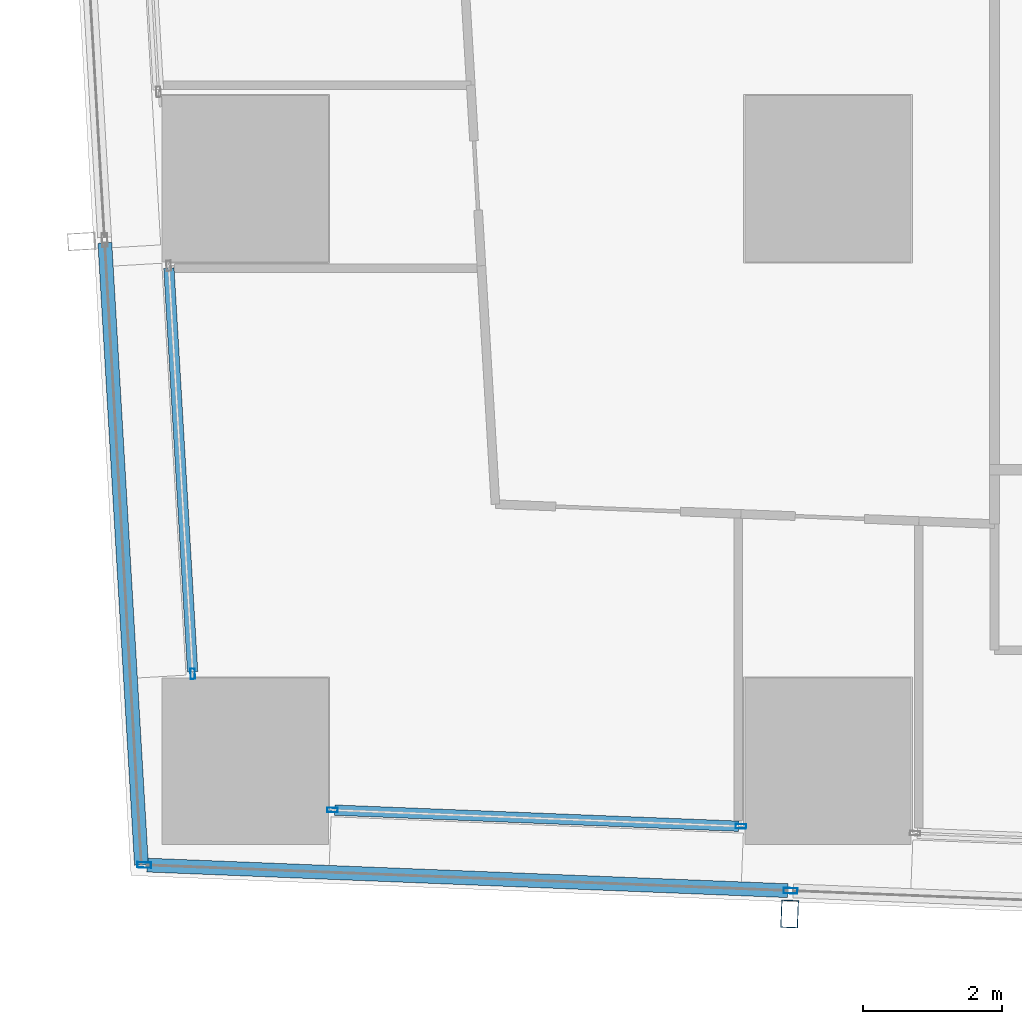
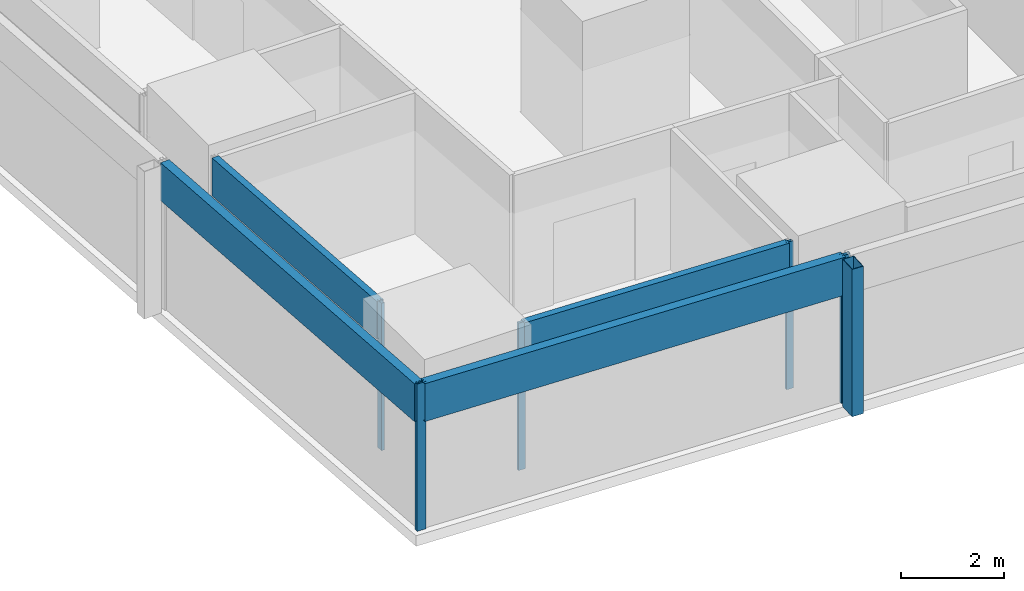
# One storey, part 2 of 37: 10 members, 4 elements without a shape of their own.
"""IFC4 building model written with IfcOpenShell, lengths in metres."""

from ifc_helpers import new_model, si_unit, direction, frame, origin, origin_2d, place, context, subcontext, project, spatial, hollow_rectangle, extrude, material, material_profile, profile_set, type_object, element, aggregate, save


model = new_model("IFC4")

# Units and contexts
model_context = context("Model", 3, precision=1e-05, world=origin(), true_north=direction((0.0, 1.0)))
body_context = subcontext(model_context, "Body", "Model", "MODEL_VIEW")
ifc_project = project(units=[si_unit("LENGTHUNIT", "METRE"), si_unit("AREAUNIT", "SQUARE_METRE"), si_unit("VOLUMEUNIT", "CUBIC_METRE"), si_unit("PLANEANGLEUNIT", "RADIAN"), si_unit("MASSUNIT", "GRAM", prefix="KILO")], contexts=[model_context])

# Site, building, storey
site_placement = place(None, origin())
site = spatial("IfcSite", under=ifc_project, at=site_placement, CompositionType="ELEMENT")
building_placement = place(site_placement, origin())
building = spatial("IfcBuilding", under=site, at=building_placement, Name="Rekha Terrace Tower", CompositionType="ELEMENT")
storey_placement = place(building_placement, frame((0.0, 0.0, 228.949951171875)))
storey = spatial("IfcBuildingStorey", under=building, at=storey_placement, Name="L58", CompositionType="ELEMENT", Elevation=228.949951171875)

# Curtain wall, member
ifc_material_1 = material(Name="Aluminium framing", Category="aluminium")
curtain_wall_type_1 = type_object("IfcCurtainWallType", Name="CW2 double skin outer glazing", PredefinedType="USERDEFINED", material=ifc_material_1)
curtain_wall_1_placement = place(storey_placement, origin())
curtain_wall_1 = element("IfcCurtainWall", 1, at=curtain_wall_1_placement, inside=storey, type_object=curtain_wall_type_1, Name="CW2 double skin outer glazing", ObjectType="DOUBLE SKIN OUTER GLAZING", PredefinedType="USERDEFINED")
ifc_material_2 = material(Name="Steel S355 with fluorocarbon finish", Category="steel")
ifc_material_profile_1 = material_profile(ifc_material_2, hollow_rectangle(XDim=0.25, YDim=0.39990234375, WallThickness=0.012451171875, at=origin_2d()), Name="RHS400x250x12.5")
ifc_profile_set_1 = profile_set([ifc_material_profile_1], Name="Steel S355 with fluorocarbon finish")
member_type_1 = type_object("IfcMemberType", Name="BL1 facade blade RHS 400 x 250", PredefinedType="USERDEFINED", material=ifc_profile_set_1)
member_1_placement = place(storey_placement, frame((16.24658203125, 14.595947265625, 0.0), z_axis=(0.0, 0.0, 1.0), x_axis=(0.999204797763, -0.039871946621, 0.0)))
member_1 = element("IfcMember", 2, at=member_1_placement, type_object=member_type_1, Name="Facade blade", ObjectType="FACADE BLADE", PredefinedType="USERDEFINED", context=body_context, shape_type="SweptSolid", body=[
    extrude(hollow_rectangle(XDim=0.25, YDim=0.39990234375, WallThickness=0.012451171875, at=origin_2d()), origin(), (0.0, 0.0, 1.0), 3.5),
])

# Curtain wall, members
curtain_wall_type_2 = type_object("IfcCurtainWallType", Name="CW1 double skin inner glazing", PredefinedType="USERDEFINED", material=ifc_material_1)
curtain_wall_2_placement = place(storey_placement, origin())
curtain_wall_2 = element("IfcCurtainWall", 3, at=curtain_wall_2_placement, inside=storey, type_object=curtain_wall_type_2, Name="CW1 double skin inner glazing", ObjectType="DOUBLE SKIN INNER GLAZING", PredefinedType="USERDEFINED")
ifc_material_3 = material(Name="Aluminium mullion section", Category="aluminium")
ifc_material_profile_2 = material_profile(ifc_material_3, hollow_rectangle(XDim=0.06494140625, YDim=0.14990234375, WallThickness=0.00390625, at=origin_2d()), Name="AL RHS 65x150")
ifc_profile_set_2 = profile_set([ifc_material_profile_2], Name="Aluminium mullion section")
member_type_2 = type_object("IfcMemberType", Name="CW1 mullion RHS 65 x 150", PredefinedType="MULLION", material=ifc_profile_set_2)
member_2_placement = place(storey_placement, frame((9.65625, 16.094970703125, 0.0), z_axis=(0.0, 0.0, 1.0), x_axis=(0.039872497078, 0.999204775798, 0.0)))
member_2 = element("IfcMember", 4, at=member_2_placement, type_object=member_type_2, Name="CW1 mullion 1", PredefinedType="MULLION", context=body_context, shape_type="SweptSolid", body=[
    extrude(hollow_rectangle(XDim=0.06494140625, YDim=0.14990234375, WallThickness=0.00390625, at=origin_2d()), origin(), (0.0, 0.0, 1.0), 3.5),
])
member_3_placement = place(storey_placement, frame((15.543701171875, 15.85986328125, 0.0), z_axis=(0.0, 0.0, 1.0), x_axis=(0.039872497078, 0.999204775798, 0.0)))
member_3 = element("IfcMember", 5, at=member_3_placement, type_object=member_type_2, Name="CW1 mullion 2", PredefinedType="MULLION", context=body_context, shape_type="SweptSolid", body=[
    extrude(hollow_rectangle(XDim=0.06494140625, YDim=0.14990234375, WallThickness=0.00390625, at=origin_2d()), origin(), (0.0, 0.0, 1.0), 3.5),
])

# Curtain wall, member
curtain_wall_3_placement = place(storey_placement, origin())
curtain_wall_3 = element("IfcCurtainWall", 6, at=curtain_wall_3_placement, inside=storey, type_object=curtain_wall_type_2, Name="CW1 double skin inner glazing", ObjectType="DOUBLE SKIN INNER GLAZING", PredefinedType="USERDEFINED")
member_4_placement = place(storey_placement, frame((7.640625, 18.05810546875, 0.0), z_axis=(0.0, 0.0, 1.0), x_axis=(0.99827183927, 0.058765082499, 0.0)))
member_4 = element("IfcMember", 7, at=member_4_placement, type_object=member_type_2, Name="CW1 mullion 2", PredefinedType="MULLION", context=body_context, shape_type="SweptSolid", body=[
    extrude(hollow_rectangle(XDim=0.06494140625, YDim=0.14990234375, WallThickness=0.00390625, at=origin_2d()), origin(), (0.0, 0.0, 1.0), 3.5),
])

# Member
ifc_material_4 = material(Name="Insulated aluminium spandrel box", Category="aluminium")
ifc_material_profile_3 = material_profile(ifc_material_4, hollow_rectangle(XDim=0.14990234375, YDim=0.89990234375, WallThickness=0.0029296875, at=origin_2d()), Name="AL SPANDREL BOX 150x900")
ifc_profile_set_3 = profile_set([ifc_material_profile_3], Name="Insulated aluminium spandrel box")
member_type_3 = type_object("IfcMemberType", Name="CW1 spandrel transom 150 x 900", PredefinedType="USERDEFINED", material=ifc_profile_set_3)
member_5_placement = place(storey_placement, frame((9.688720703125, 16.093505859375, 3.050048828125), z_axis=(0.999205903752, -0.03984422049, 0.0), x_axis=(0.03984422049, 0.999205903752, 0.0)))
member_5 = element("IfcMember", 8, at=member_5_placement, type_object=member_type_3, Name="CW1 spandrel transom 1", ObjectType="TRANSOM", PredefinedType="USERDEFINED", context=body_context, shape_type="SweptSolid", body=[
    extrude(hollow_rectangle(XDim=0.14990234375, YDim=0.89990234375, WallThickness=0.0029296875, at=origin_2d()), origin(), (0.0, 0.0, 1.0), 5.8271484375),
])

aggregate(curtain_wall_2, [member_2, member_3, member_5])

member_6_placement = place(storey_placement, frame((7.296142578125, 23.90966796875, 3.050048828125), z_axis=(0.058758848186, -0.998272206244, 0.0), x_axis=(0.998272206244, 0.058758848186, 0.0)))
member_6 = element("IfcMember", 9, at=member_6_placement, type_object=member_type_3, Name="CW1 spandrel transom 1", ObjectType="TRANSOM", PredefinedType="USERDEFINED", context=body_context, shape_type="SweptSolid", body=[
    extrude(hollow_rectangle(XDim=0.14990234375, YDim=0.89990234375, WallThickness=0.0029296875, at=origin_2d()), origin(), (0.0, 0.0, 1.0), 5.829345703125),
])

aggregate(curtain_wall_3, [member_4, member_6])

ifc_material_profile_4 = material_profile(ifc_material_3, hollow_rectangle(XDim=0.080078125, YDim=0.199951171875, WallThickness=0.00390625, at=origin_2d()), Name="AL RHS 80x200")
ifc_profile_set_4 = profile_set([ifc_material_profile_4], Name="Aluminium mullion section")
member_type_4 = type_object("IfcMemberType", Name="CW2 mullion RHS 80 x 200", PredefinedType="MULLION", material=ifc_profile_set_4)
member_7_placement = place(storey_placement, frame((6.941162109375, 15.302490234375, 0.0), z_axis=(0.0, 0.0, 1.0), x_axis=(0.039872497044, 0.999204775799, 0.0)))
member_7 = element("IfcMember", 10, at=member_7_placement, type_object=member_type_4, Name="CW2 mullion 1", PredefinedType="MULLION", context=body_context, shape_type="SweptSolid", body=[
    extrude(hollow_rectangle(XDim=0.080078125, YDim=0.199951171875, WallThickness=0.00390625, at=origin_2d()), origin(), (0.0, 0.0, 1.0), 3.5),
])

member_8_placement = place(storey_placement, frame((16.259765625, 14.9306640625, 0.0), z_axis=(0.0, 0.0, 1.0), x_axis=(0.039872497044, 0.999204775799, 0.0)))
member_8 = element("IfcMember", 11, at=member_8_placement, type_object=member_type_4, Name="CW2 mullion 2", PredefinedType="MULLION", context=body_context, shape_type="SweptSolid", body=[
    extrude(hollow_rectangle(XDim=0.080078125, YDim=0.199951171875, WallThickness=0.00390625, at=origin_2d()), origin(), (0.0, 0.0, 1.0), 3.5),
])

ifc_material_profile_5 = material_profile(ifc_material_4, hollow_rectangle(XDim=0.199951171875, YDim=0.89990234375, WallThickness=0.0029296875, at=origin_2d()), Name="AL SPANDREL BOX 200x900")
ifc_profile_set_5 = profile_set([ifc_material_profile_5], Name="Insulated aluminium spandrel box")
member_type_5 = type_object("IfcMemberType", Name="CW2 spandrel transom 200 x 900", PredefinedType="USERDEFINED", material=ifc_profile_set_5)
member_9_placement = place(storey_placement, frame((6.981201171875, 15.301025390625, 3.050048828125), z_axis=(0.999203782278, -0.039897386899, 0.0), x_axis=(0.039897386899, 0.999203782278, 0.0)))
member_9 = element("IfcMember", 12, at=member_9_placement, type_object=member_type_5, Name="CW2 spandrel transom 1", ObjectType="TRANSOM", PredefinedType="USERDEFINED", context=body_context, shape_type="SweptSolid", body=[
    extrude(hollow_rectangle(XDim=0.199951171875, YDim=0.89990234375, WallThickness=0.0029296875, at=origin_2d()), origin(), (0.0, 0.0, 1.0), 9.24609375),
])

aggregate(curtain_wall_1, [member_7, member_8, member_9, member_1])

# Curtain wall, member
curtain_wall_4_placement = place(storey_placement, origin())
curtain_wall_4 = element("IfcCurtainWall", 13, at=curtain_wall_4_placement, inside=storey, type_object=curtain_wall_type_1, Name="CW2 double skin outer glazing", ObjectType="DOUBLE SKIN OUTER GLAZING", PredefinedType="USERDEFINED")
member_10_placement = place(storey_placement, frame((6.373291015625, 24.27197265625, 3.050048828125), z_axis=(0.058757071111, -0.998272310842, 0.0), x_axis=(0.998272310842, 0.058757071111, 0.0)))
member_10 = element("IfcMember", 14, at=member_10_placement, type_object=member_type_5, Name="CW2 spandrel transom 3", ObjectType="TRANSOM", PredefinedType="USERDEFINED", context=body_context, shape_type="SweptSolid", body=[
    extrude(hollow_rectangle(XDim=0.199951171875, YDim=0.89990234375, WallThickness=0.0029296875, at=origin_2d()), origin(), (0.0, 0.0, 1.0), 8.9833984375),
])
aggregate(curtain_wall_4, [member_10])

save(model, "model.ifc")
